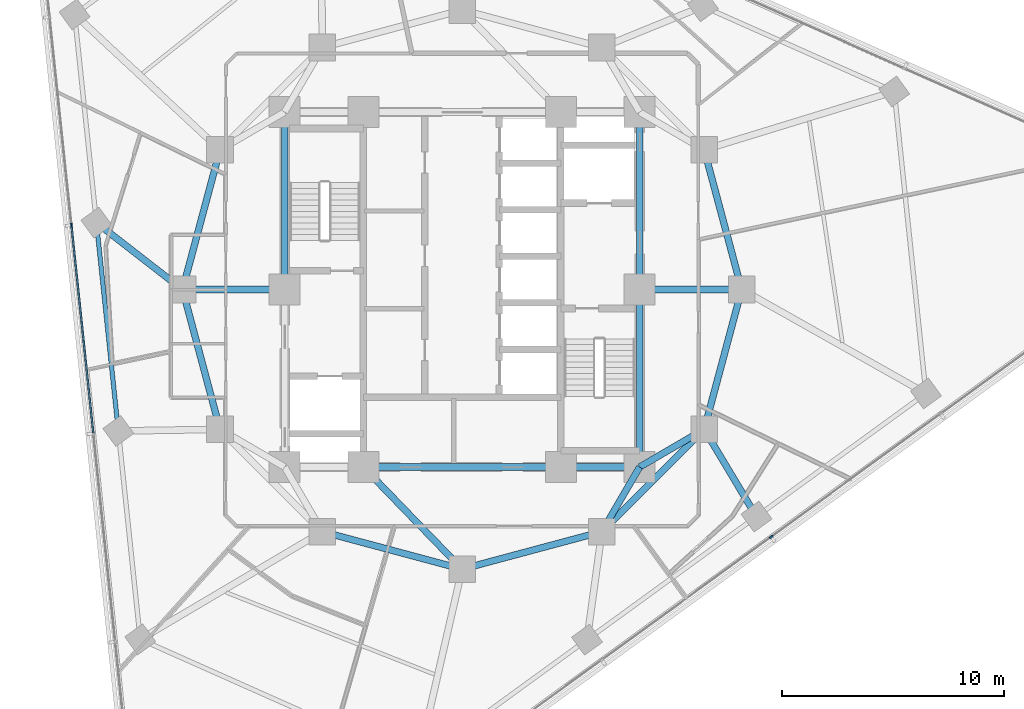
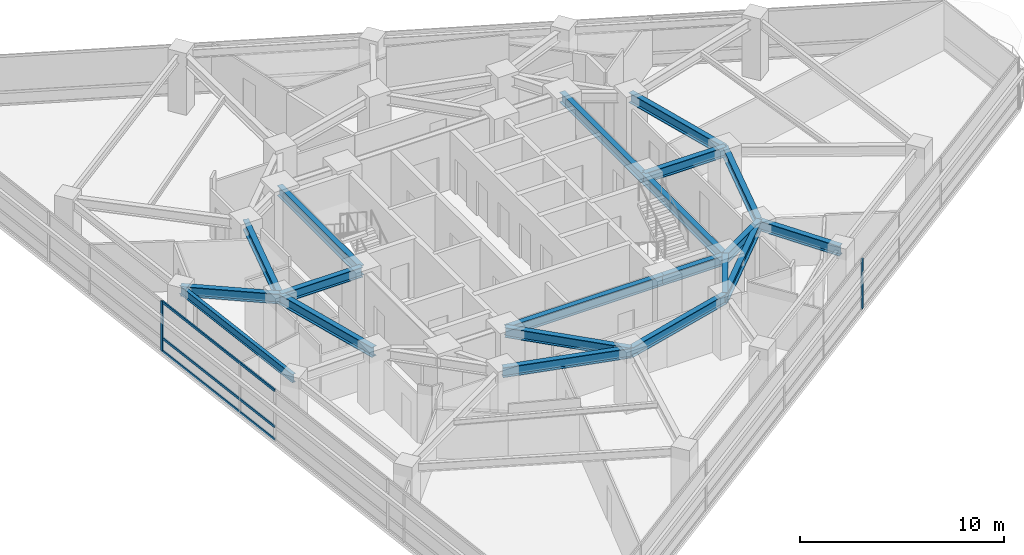
# One storey, part 3 of 14: 20 beams, 5 members, 2 elements without a shape of their own.
"""IFC4 building model written with IfcOpenShell, lengths in metres."""

from ifc_helpers import new_model, si_unit, direction, frame, origin, origin_2d, place, context, subcontext, project, spatial, rectangle, i_section, extrude, material, layer, layer_set, material_profile, profile_set, type_object, element, aggregate, save


model = new_model("IFC4")

# Units and contexts
model_context = context("Model", 3, precision=1e-05, world=origin(), true_north=direction((0.0, 1.0)))
body_context = subcontext(model_context, "Body", "Model", "MODEL_VIEW")
ifc_project = project(units=[si_unit("LENGTHUNIT", "METRE"), si_unit("AREAUNIT", "SQUARE_METRE"), si_unit("VOLUMEUNIT", "CUBIC_METRE"), si_unit("PLANEANGLEUNIT", "RADIAN"), si_unit("MASSUNIT", "GRAM", prefix="KILO")], contexts=[model_context])

# Site, building, storey
site_placement = place(None, origin())
site = spatial("IfcSite", under=ifc_project, at=site_placement, CompositionType="ELEMENT")
building_placement = place(site_placement, origin())
building = spatial("IfcBuilding", under=site, at=building_placement, Name="Terralouvre Media Tower", CompositionType="ELEMENT")
storey_placement = place(building_placement, frame((0.0, 0.0, 165.699951171875)))
storey = spatial("IfcBuildingStorey", under=building, at=storey_placement, Name="L42", CompositionType="ELEMENT", Elevation=165.699951171875)

# Curtain wall, members
ifc_material_1 = material(Name="Low-iron laminated double glazing with solar-control coating", Category="glass")
ifc_layer = layer(ifc_material_1, 0.1650390625, Name="Production Studio Tower Curtain Wall CW-03")
ifc_layer_set = layer_set([ifc_layer], Name="Low-iron laminated double glazing with solar-control coating")
curtain_wall_type = type_object("IfcCurtainWallType", Name="Production Studio Tower Curtain Wall CW-03", PredefinedType="NOTDEFINED", material=ifc_layer_set)
curtain_wall_1_placement = place(storey_placement, origin())
curtain_wall_1 = element("IfcCurtainWall", 1, at=curtain_wall_1_placement, inside=storey, type_object=curtain_wall_type, Name="L42 Facade Curtain Wall F2", PredefinedType="NOTDEFINED")
ifc_material_2 = material(Name="Anodised extruded aluminium 6063-T6", Category="aluminium")
ifc_material_profile_1 = material_profile(ifc_material_2, rectangle(XDim=0.074951171875, YDim=0.14990234375, at=origin_2d()), Name="ALU 75x150")
ifc_profile_set_1 = profile_set([ifc_material_profile_1], Name="Anodised extruded aluminium 6063-T6")
member_type_1 = type_object("IfcMemberType", Name="Curtain-Wall Horizontal Transom TR-150", PredefinedType="USERDEFINED", material=ifc_profile_set_1)
member_1_placement = place(storey_placement, frame((-17.6005859375, 2.8583984375, 0.03759765625), z_axis=(0.104512438861, -0.994523579471, 0.0), x_axis=(0.994523579471, 0.104512438861, 0.0)))
member_1 = element("IfcMember", 2, at=member_1_placement, type_object=member_type_1, Name="CW-03 transom 3.1", ObjectType="TRANSOM", PredefinedType="USERDEFINED", context=body_context, shape_type="SweptSolid", body=[
    extrude(rectangle(XDim=0.074951171875, YDim=0.14990234375, at=origin_2d()), origin(), (0.0, 0.0, 1.0), 9.364990234375),
])
member_2_placement = place(storey_placement, frame((-17.6005859375, 2.8583984375, 0.800048828125), z_axis=(0.104512438861, -0.994523579471, 0.0), x_axis=(0.994523579471, 0.104512438861, 0.0)))
member_2 = element("IfcMember", 3, at=member_2_placement, type_object=member_type_1, Name="CW-03 transom 3.2", ObjectType="TRANSOM", PredefinedType="USERDEFINED", context=body_context, shape_type="SweptSolid", body=[
    extrude(rectangle(XDim=0.074951171875, YDim=0.14990234375, at=origin_2d()), origin(), (0.0, 0.0, 1.0), 9.364990234375),
])
member_3_placement = place(storey_placement, frame((-17.6005859375, 2.8583984375, 2.962646484375), z_axis=(0.104512438861, -0.994523579471, 0.0), x_axis=(0.994523579471, 0.104512438861, 0.0)))
member_3 = element("IfcMember", 4, at=member_3_placement, type_object=member_type_1, Name="CW-03 transom 3.3", ObjectType="TRANSOM", PredefinedType="USERDEFINED", context=body_context, shape_type="SweptSolid", body=[
    extrude(rectangle(XDim=0.074951171875, YDim=0.14990234375, at=origin_2d()), origin(), (0.0, 0.0, 1.0), 9.364990234375),
])

# Curtain wall, member
curtain_wall_2_placement = place(storey_placement, origin())
curtain_wall_2 = element("IfcCurtainWall", 5, at=curtain_wall_2_placement, inside=storey, type_object=curtain_wall_type, Name="L42 Facade Curtain Wall F0", PredefinedType="NOTDEFINED")
ifc_material_3 = material(Name="Anodised extruded aluminium 6063-T6", Category="aluminium")
ifc_material_profile_2 = material_profile(ifc_material_3, rectangle(XDim=0.074951171875, YDim=0.179931640625, at=origin_2d()), Name="ALU 75x180")
ifc_profile_set_2 = profile_set([ifc_material_profile_2], Name="Anodised extruded aluminium 6063-T6")
member_type_2 = type_object("IfcMemberType", Name="Curtain-Wall Vertical Mullion ML-180", PredefinedType="MULLION", material=ifc_profile_set_2)
member_4_placement = place(storey_placement, frame((13.931640625, -11.145263671875, 0.0), z_axis=(0.0, 0.0, 1.0), x_axis=(-0.587785358263, 0.809016917383, 0.0)))
member_4 = element("IfcMember", 6, at=member_4_placement, type_object=member_type_2, Name="CW-03 mullion 4", PredefinedType="MULLION", context=body_context, shape_type="SweptSolid", body=[
    extrude(rectangle(XDim=0.074951171875, YDim=0.179931640625, at=origin_2d()), origin(), (0.0, 0.0, 1.0), 3.0),
])
aggregate(curtain_wall_2, [member_4])

# Member
member_5_placement = place(storey_placement, frame((-17.6044921875, 2.895751953125, 0.0), z_axis=(0.0, 0.0, 1.0), x_axis=(0.994521904516, 0.104528376236, 0.0)))
member_5 = element("IfcMember", 7, at=member_5_placement, type_object=member_type_2, Name="CW-03 mullion 3", PredefinedType="MULLION", context=body_context, shape_type="SweptSolid", body=[
    extrude(rectangle(XDim=0.074951171875, YDim=0.179931640625, at=origin_2d()), origin(), (0.0, 0.0, 1.0), 3.0),
])

aggregate(curtain_wall_1, [member_5, member_1, member_2, member_3])

# Beams
ifc_material_4 = material(Name="Structural steel S355J2", Category="steel")
ifc_material_profile_3 = material_profile(ifc_material_4, i_section(OverallWidth=0.199951171875, OverallDepth=0.5, WebThickness=0.01025390625, FlangeThickness=0.01611328125, at=origin_2d()), Name="IPE 500")
ifc_profile_set_3 = profile_set([ifc_material_profile_3], Name="Structural steel S355J2")
beam_type_1 = type_object("IfcBeamType", Name="Perimeter Spandrel Beam SPB-500 (IPE 500)", PredefinedType="SPANDREL", material=ifc_profile_set_3)
beam_1_placement = place(storey_placement, frame((-16.480712890625, 3.013916015625, 3.25), z_axis=(0.104508425148, -0.994524001255, 0.0), x_axis=(0.994524001255, 0.104508425148, 0.0)))
element("IfcBeam", 8, at=beam_1_placement, inside=storey, type_object=beam_type_1, Name="L42 Framing Beam BM-L42-PR12", PredefinedType="SPANDREL", context=body_context, shape_type="SweptSolid", body=[
    extrude(i_section(OverallWidth=0.199951171875, OverallDepth=0.5, WebThickness=0.01025390625, FlangeThickness=0.01611328125, at=origin_2d()), origin(), (0.0, 0.0, 1.0), 9.440185546875),
])
ifc_material_5 = material(Name="Structural steel S460M", Category="steel")
ifc_material_profile_4 = material_profile(ifc_material_5, i_section(OverallWidth=0.300048828125, OverallDepth=0.60009765625, WebThickness=0.015380859375, FlangeThickness=0.030029296875, at=origin_2d()), Name="HEB 600")
ifc_profile_set_4 = profile_set([ifc_material_profile_4], Name="Structural steel S460M")
beam_type_2 = type_object("IfcBeamType", Name="Primary Floor Girder B-HEB600 (HEB 600)", PredefinedType="BEAM", material=ifc_profile_set_4)
beam_2_placement = place(storey_placement, frame((-4.449951171875, -8.0, 3.199951171875), z_axis=(1.0, 0.0, 0.0), x_axis=(0.0, 1.0, 0.0)))
element("IfcBeam", 9, at=beam_2_placement, inside=storey, type_object=beam_type_2, Name="L42 Framing Beam BM-L42-CPR02", PredefinedType="BEAM", context=body_context, shape_type="SweptSolid", body=[
    extrude(i_section(OverallWidth=0.300048828125, OverallDepth=0.60009765625, WebThickness=0.015380859375, FlangeThickness=0.030029296875, at=origin_2d()), origin(), (0.0, 0.0, 1.0), 8.89990234375),
])
beam_3_placement = place(storey_placement, frame((4.449951171875, -8.0, 3.199951171875), z_axis=(1.0, 0.0, 0.0), x_axis=(0.0, 1.0, 0.0)))
element("IfcBeam", 10, at=beam_3_placement, inside=storey, type_object=beam_type_2, Name="L42 Framing Beam BM-L42-CPR03", PredefinedType="BEAM", context=body_context, shape_type="SweptSolid", body=[
    extrude(i_section(OverallWidth=0.300048828125, OverallDepth=0.60009765625, WebThickness=0.015380859375, FlangeThickness=0.030029296875, at=origin_2d()), origin(), (0.0, 0.0, 1.0), 3.550048828125),
])
for number, where, z_axis, x_axis, name in (
    (11, (8.0, -8.0, 3.199951171875), (0.0, 1.0, 0.0), (-1.0, 0.0, 0.0), "L42 Framing Beam BM-L42-CPR04"),
    (12, (8.0, 0.0, 3.199951171875), (0.0, 1.0, 0.0), (-1.0, 0.0, 0.0), "L42 Framing Beam BM-L42-CPR05"),
    (13, (-8.0, 8.0, 3.199951171875), (0.0, -1.0, 0.0), (1.0, 0.0, 0.0), "L42 Framing Beam BM-L42-CPR09"),
):
    element("IfcBeam", number, at=place(storey_placement, frame(where, z_axis=z_axis, x_axis=x_axis)), inside=storey, type_object=beam_type_2, Name=name, PredefinedType="BEAM", context=body_context, shape_type="SweptSolid", body=[
        extrude(i_section(OverallWidth=0.300048828125, OverallDepth=0.60009765625, WebThickness=0.015380859375, FlangeThickness=0.030029296875, at=origin_2d()), origin(), (0.0, 0.0, 1.0), 8.0),
    ])
for number, where, z_axis, x_axis, name in (
    (14, (-6.300048828125, -10.911865234375, 3.199951171875), (0.965920481897, -0.258838989821, 0.0), (0.258838989821, 0.965920481897, 0.0), "L42 Framing Beam BM-L42-MR02"),
    (15, (0.0, -12.60009765625, 3.199951171875), (0.965920481897, 0.258838989821, 0.0), (-0.258838989821, 0.965920481897, 0.0), "L42 Framing Beam BM-L42-MR03"),
):
    element("IfcBeam", number, at=place(storey_placement, frame(where, z_axis=z_axis, x_axis=x_axis)), inside=storey, type_object=beam_type_2, Name=name, PredefinedType="BEAM", context=body_context, shape_type="SweptSolid", body=[
        extrude(i_section(OverallWidth=0.300048828125, OverallDepth=0.60009765625, WebThickness=0.015380859375, FlangeThickness=0.030029296875, at=origin_2d()), origin(), (0.0, 0.0, 1.0), 6.522216796875),
    ])
beam_4_placement = place(storey_placement, frame((6.300048828125, -10.911865234375, 3.199951171875), z_axis=(0.707106781187, 0.707106781187, 0.0), x_axis=(-0.707106781187, 0.707106781187, 0.0)))
element("IfcBeam", 16, at=beam_4_placement, inside=storey, type_object=beam_type_2, Name="L42 Framing Beam BM-L42-MR04", PredefinedType="BEAM", context=body_context, shape_type="SweptSolid", body=[
    extrude(i_section(OverallWidth=0.300048828125, OverallDepth=0.60009765625, WebThickness=0.015380859375, FlangeThickness=0.030029296875, at=origin_2d()), origin(), (0.0, 0.0, 1.0), 6.52197265625),
])
for number, where, z_axis, x_axis, name in (
    (17, (10.911865234375, -6.300048828125, 3.199951171875), (0.258838989821, 0.965920481897, 0.0), (-0.965920481897, 0.258838989821, 0.0), "L42 Framing Beam BM-L42-MR05"),
    (18, (12.60009765625, 0.0, 3.199951171875), (-0.258838989821, 0.965920481897, 0.0), (-0.965920481897, -0.258838989821, 0.0), "L42 Framing Beam BM-L42-MR06"),
    (19, (-10.911865234375, 6.300048828125, 3.199951171875), (-0.258838989821, -0.965920481897, 0.0), (0.965920481897, -0.258838989821, 0.0), "L42 Framing Beam BM-L42-MR11"),
    (20, (-12.60009765625, 0.0, 3.199951171875), (0.258838989821, -0.965920481897, 0.0), (0.965920481897, 0.258838989821, 0.0), "L42 Framing Beam BM-L42-MR12"),
):
    element("IfcBeam", number, at=place(storey_placement, frame(where, z_axis=z_axis, x_axis=x_axis)), inside=storey, type_object=beam_type_2, Name=name, PredefinedType="BEAM", context=body_context, shape_type="SweptSolid", body=[
        extrude(i_section(OverallWidth=0.300048828125, OverallDepth=0.60009765625, WebThickness=0.015380859375, FlangeThickness=0.030029296875, at=origin_2d()), origin(), (0.0, 0.0, 1.0), 6.522216796875),
    ])
beam_5_placement = place(storey_placement, frame((-4.449951171875, -8.0, 3.199951171875), z_axis=(0.695279715726, -0.718739255155, 0.0), x_axis=(0.718739255155, 0.695279715726, 0.0)))
element("IfcBeam", 21, at=beam_5_placement, inside=storey, type_object=beam_type_2, Name="L42 Framing Beam BM-L42-CM03", PredefinedType="BEAM", context=body_context, shape_type="SweptSolid", body=[
    extrude(i_section(OverallWidth=0.300048828125, OverallDepth=0.60009765625, WebThickness=0.015380859375, FlangeThickness=0.030029296875, at=origin_2d()), origin(), (0.0, 0.0, 1.0), 6.400146484375),
])
for number, where, z_axis, x_axis, name in (
    (22, (8.0, -8.0, 3.199951171875), (-0.504172629717, -0.863602894532, 0.0), (0.863602894532, -0.504172629717, 0.0), "L42 Framing Beam BM-L42-CM04"),
    (23, (8.0, -8.0, 3.199951171875), (0.863602894532, 0.504172629717, 0.0), (-0.504172629717, 0.863602894532, 0.0), "L42 Framing Beam BM-L42-CM05"),
):
    element("IfcBeam", number, at=place(storey_placement, frame(where, z_axis=z_axis, x_axis=x_axis)), inside=storey, type_object=beam_type_2, Name=name, PredefinedType="BEAM", context=body_context, shape_type="SweptSolid", body=[
        extrude(i_section(OverallWidth=0.300048828125, OverallDepth=0.60009765625, WebThickness=0.015380859375, FlangeThickness=0.030029296875, at=origin_2d()), origin(), (0.0, 0.0, 1.0), 3.371826171875),
    ])
for number, where, z_axis, x_axis, name in (
    (24, (8.0, 0.0, 3.199951171875), (1.0, 0.0, 0.0), (0.0, 1.0, 0.0), "L42 Framing Beam BM-L42-CM06"),
    (25, (-8.0, 0.0, 3.199951171875), (-1.0, 0.0, 0.0), (0.0, -1.0, 0.0), "L42 Framing Beam BM-L42-CM12"),
):
    element("IfcBeam", number, at=place(storey_placement, frame(where, z_axis=z_axis, x_axis=x_axis)), inside=storey, type_object=beam_type_2, Name=name, PredefinedType="BEAM", context=body_context, shape_type="SweptSolid", body=[
        extrude(i_section(OverallWidth=0.300048828125, OverallDepth=0.60009765625, WebThickness=0.015380859375, FlangeThickness=0.030029296875, at=origin_2d()), origin(), (0.0, 0.0, 1.0), 4.60009765625),
    ])
beam_6_placement = place(storey_placement, frame((10.911865234375, -6.300048828125, 3.199951171875), z_axis=(0.514041286901, -0.857765443091, 0.0), x_axis=(0.857765443091, 0.514041286901, 0.0)))
element("IfcBeam", 26, at=beam_6_placement, inside=storey, type_object=beam_type_2, Name="L42 Framing Beam BM-L42-RD05", PredefinedType="BEAM", context=body_context, shape_type="SweptSolid", body=[
    extrude(i_section(OverallWidth=0.300048828125, OverallDepth=0.60009765625, WebThickness=0.015380859375, FlangeThickness=0.030029296875, at=origin_2d()), origin(), (0.0, 0.0, 1.0), 4.582763671875),
])
beam_7_placement = place(storey_placement, frame((-12.60009765625, 0.0, 3.199951171875), z_axis=(-0.78978010095, 0.613390081549, 0.0), x_axis=(-0.613390081549, -0.78978010095, 0.0)))
element("IfcBeam", 27, at=beam_7_placement, inside=storey, type_object=beam_type_2, Name="L42 Framing Beam BM-L42-RD12", PredefinedType="BEAM", context=body_context, shape_type="SweptSolid", body=[
    extrude(i_section(OverallWidth=0.300048828125, OverallDepth=0.60009765625, WebThickness=0.015380859375, FlangeThickness=0.030029296875, at=origin_2d()), origin(), (0.0, 0.0, 1.0), 4.91357421875),
])

save(model, "model.ifc")
